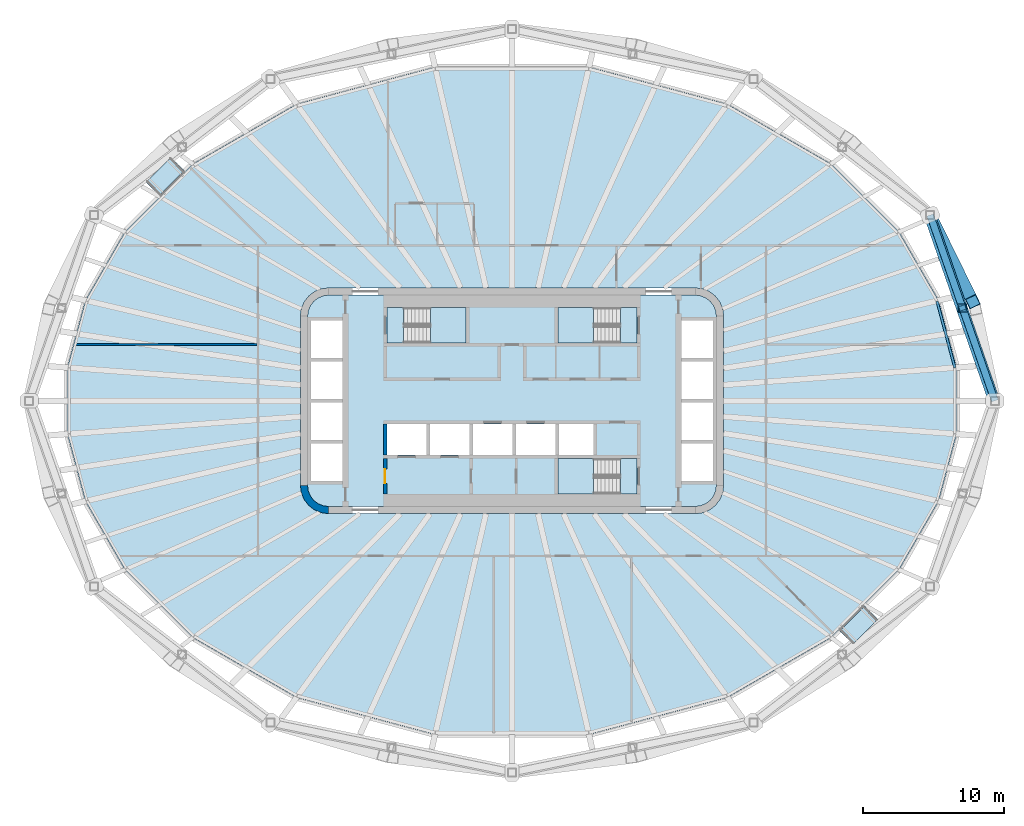
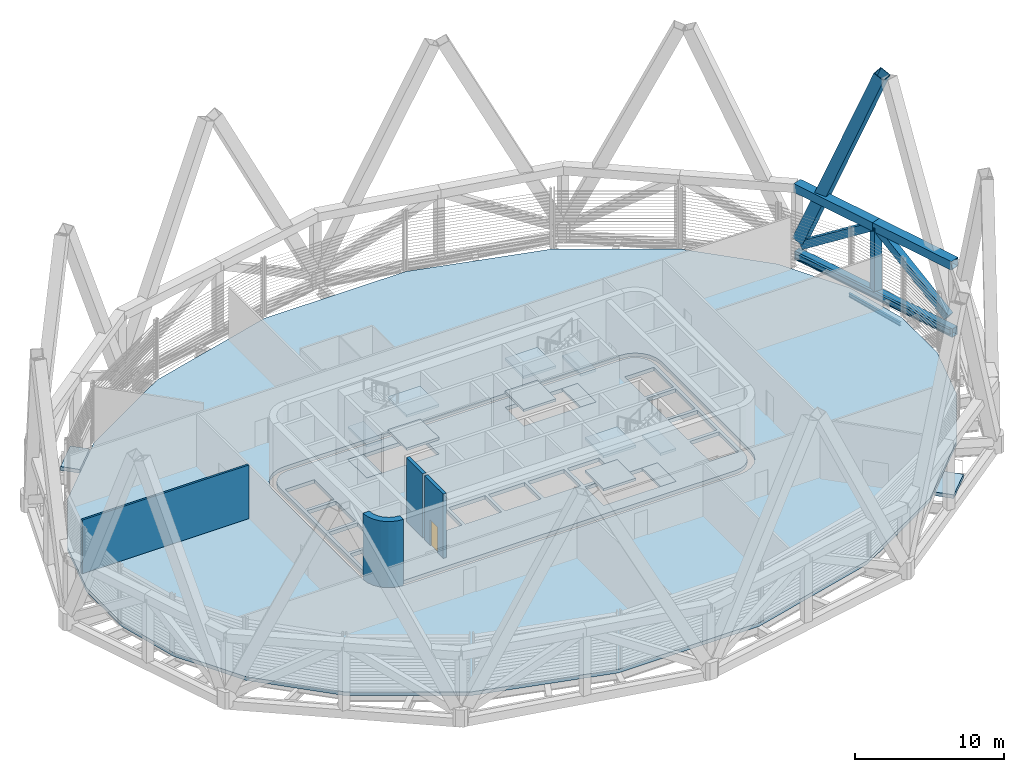
# One storey, part 5 of 18: 16 slabs, 6 members, 4 walls, 3 beams, 1 door, 1 opening, 3 elements without a shape of their own.
"""IFC4 building model written with IfcOpenShell, lengths in metres."""

from ifc_helpers import new_model, si_unit, direction, frame, frame_2d, origin, origin_2d, place, context, subcontext, project, spatial, polyline, rectangle, hollow_rectangle, i_section, outline, extrude, material, layer, layer_set, material_profile, profile_set, type_object, element, fill, aggregate, save


model = new_model("IFC4")

# Units and contexts
model_context = context("Model", 3, precision=1e-05, world=origin(), true_north=direction((0.0, 1.0)))
body_context = subcontext(model_context, "Body", "Model", "MODEL_VIEW")
ifc_project = project(units=[si_unit("LENGTHUNIT", "METRE"), si_unit("AREAUNIT", "SQUARE_METRE"), si_unit("VOLUMEUNIT", "CUBIC_METRE"), si_unit("PLANEANGLEUNIT", "RADIAN"), si_unit("MASSUNIT", "GRAM", prefix="KILO")], contexts=[model_context])

# Site, building, storey
site_placement = place(None, origin())
site = spatial("IfcSite", under=ifc_project, at=site_placement, CompositionType="ELEMENT")
building_placement = place(site_placement, origin())
building = spatial("IfcBuilding", under=site, at=building_placement, Name="Sahrelin Media Tower", CompositionType="ELEMENT")
storey_placement = place(building_placement, frame((0.0, 0.0, 148.199951171875)))
storey = spatial("IfcBuildingStorey", under=building, at=storey_placement, Name="L30", CompositionType="ELEMENT", Elevation=148.199951171875)

# Members
ifc_material_1 = material(Name="Steel S460", Category="steel")
ifc_material_profile_1 = material_profile(ifc_material_1, hollow_rectangle(XDim=0.699951171875, YDim=0.699951171875, WallThickness=0.044921875, at=origin_2d()), Name="Belt truss chord BC")
ifc_profile_set_1 = profile_set([ifc_material_profile_1], Name="Steel S460")
member_type_1 = type_object("IfcMemberType", Name="Belt truss chord BC", PredefinedType="CHORD", material=ifc_profile_set_1)
for number, where, z_axis, x_axis, name in (
    (1, (34.228759765625, 0.0, 4.900146484375), (-0.328781301843, 0.944406086151, 0.0), (-0.944406086151, -0.328781301843, 0.0), "Belt truss member BT06-00-T1"),
    (2, (31.935791015625, 6.58642578125, 4.900146484375), (-0.328781301843, 0.944406086151, 0.0), (-0.944406086151, -0.328781301843, 0.0), "Belt truss member BT06-00-T2"),
):
    element("IfcMember", number, at=place(storey_placement, frame(where, z_axis=z_axis, x_axis=x_axis)), inside=storey, type_object=member_type_1, Name=name, PredefinedType="CHORD", context=body_context, shape_type="SweptSolid", body=[
        extrude(hollow_rectangle(XDim=0.699951171875, YDim=0.699951171875, WallThickness=0.044921875, at=origin_2d()), origin(), (0.0, 0.0, 1.0), 6.97412109375),
    ])
ifc_material_profile_2 = material_profile(ifc_material_1, hollow_rectangle(XDim=0.5, YDim=0.60009765625, WallThickness=0.030029296875, at=origin_2d()), Name="Belt truss diagonal BD")
ifc_profile_set_2 = profile_set([ifc_material_profile_2], Name="Steel S460")
member_type_2 = type_object("IfcMemberType", Name="Belt truss diagonal BD", PredefinedType="BRACE", material=ifc_profile_set_2)
member_1_placement = place(storey_placement, frame((34.0546875, 0.5, 0.3720703125), z_axis=(-0.269018182349, 0.772741477817, 0.574891142763), x_axis=(-0.944406303282, -0.328780678146, 0.0)))
element("IfcMember", 3, at=member_1_placement, inside=storey, type_object=member_type_2, Name="Belt truss member BT06-00-X1", PredefinedType="BRACE", context=body_context, shape_type="SweptSolid", body=[
    extrude(hollow_rectangle(XDim=0.5, YDim=0.60009765625, WallThickness=0.030029296875, at=origin_2d()), origin(), (0.0, 0.0, 1.0), 7.87646484375),
])
member_2_placement = place(storey_placement, frame((29.807861328125, 12.69921875, 0.3525390625), z_axis=(0.269002707075, -0.772750089461, 0.574886808706), x_axis=(0.944413313299, 0.328760541525, 0.0)))
element("IfcMember", 4, at=member_2_placement, inside=storey, type_object=member_type_2, Name="Belt truss member BT06-00-X2", PredefinedType="BRACE", context=body_context, shape_type="SweptSolid", body=[
    extrude(hollow_rectangle(XDim=0.5, YDim=0.60009765625, WallThickness=0.030029296875, at=origin_2d()), origin(), (0.0, 0.0, 1.0), 7.910400390625),
])
ifc_material_profile_3 = material_profile(ifc_material_1, hollow_rectangle(XDim=0.60009765625, YDim=0.60009765625, WallThickness=0.034912109375, at=origin_2d()), Name="Belt truss post BP")
ifc_profile_set_3 = profile_set([ifc_material_profile_3], Name="Steel S460")
member_type_3 = type_object("IfcMemberType", Name="Belt truss post BP", PredefinedType="POST", material=ifc_profile_set_3)
member_3_placement = place(storey_placement, frame((31.935791015625, 6.58642578125, -0.320068359375), z_axis=(0.0, 0.0, 1.0), x_axis=(1.0, 0.0, 0.0)))
element("IfcMember", 5, at=member_3_placement, inside=storey, type_object=member_type_3, Name="Belt truss member BT06-00-P1", PredefinedType="POST", context=body_context, shape_type="SweptSolid", body=[
    extrude(hollow_rectangle(XDim=0.60009765625, YDim=0.60009765625, WallThickness=0.034912109375, at=origin_2d()), origin(), (0.0, 0.0, 1.0), 5.22021484375),
])
ifc_material_profile_4 = material_profile(ifc_material_1, hollow_rectangle(XDim=0.85009765625, YDim=0.85009765625, WallThickness=0.044921875, at=origin_2d()), Name="Diagrid diagonal DG4")
ifc_profile_set_4 = profile_set([ifc_material_profile_4], Name="Steel S460")
member_type_4 = type_object("IfcMemberType", Name="Diagrid diagonal DG4", PredefinedType="BRACE", material=ifc_profile_set_4)
member_4_placement = place(storey_placement, frame((29.769775390625, 12.9150390625, 0.699951171875), z_axis=(0.167569441572, -0.340756997688, 0.925097373674), x_axis=(0.897366617506, 0.44128579604, 0.0)))
element("IfcMember", 6, at=member_4_placement, inside=storey, type_object=member_type_4, Name="Diagrid diagonal D06-01", PredefinedType="BRACE", context=body_context, shape_type="SweptSolid", body=[
    extrude(hollow_rectangle(XDim=0.85009765625, YDim=0.85009765625, WallThickness=0.044921875, at=origin_2d()), origin(), (0.0, 0.0, 1.0), 17.29541015625),
])

# Beams
ifc_material_profile_5 = material_profile(ifc_material_1, hollow_rectangle(XDim=0.5, YDim=0.699951171875, WallThickness=0.034912109375, at=origin_2d()), Name="Diagrid ring beam RB2")
ifc_profile_set_5 = profile_set([ifc_material_profile_5], Name="Steel S460")
beam_type_1 = type_object("IfcBeamType", Name="Diagrid ring beam RB2", PredefinedType="BEAM", material=ifc_profile_set_5)
beam_1_placement = place(storey_placement, frame((34.228759765625, 0.0, -0.64990234375), z_axis=(-0.328781301843, 0.944406086151, 0.0), x_axis=(-0.944406086151, -0.328781301843, 0.0)))
element("IfcBeam", 7, at=beam_1_placement, inside=storey, type_object=beam_type_1, Name="Diagrid ring beam RB06-00", PredefinedType="BEAM", context=body_context, shape_type="SweptSolid", body=[
    extrude(hollow_rectangle(XDim=0.5, YDim=0.699951171875, WallThickness=0.034912109375, at=origin_2d()), origin(), (0.0, 0.0, 1.0), 13.9482421875),
])
ifc_material_2 = material(Name="Steel S355", Category="steel")
ifc_material_profile_6 = material_profile(ifc_material_2, i_section(OverallWidth=0.1650390625, OverallDepth=0.303466796875, WebThickness=0.006103515625, FlangeThickness=0.01025390625, FilletRadius=0.0087890625, at=origin_2d()), Name="UB 305x165x40")
ifc_profile_set_6 = profile_set([ifc_material_profile_6], Name="Steel S355")
beam_type_2 = type_object("IfcBeamType", Name="Edge beam EB2", PredefinedType="BEAM", material=ifc_profile_set_6)
beam_2_placement = place(storey_placement, frame((30.1337890625, 7.05078125, -0.45166015625), z_axis=(0.258846475781, -0.965918475844, 0.0), x_axis=(0.965918475844, 0.258846475781, 0.0)))
element("IfcBeam", 8, at=beam_2_placement, inside=storey, type_object=beam_type_2, Name="Edge beam L30-24", PredefinedType="BEAM", context=body_context, shape_type="SweptSolid", body=[
    extrude(i_section(OverallWidth=0.1650390625, OverallDepth=0.303466796875, WebThickness=0.006103515625, FlangeThickness=0.01025390625, FilletRadius=0.0087890625, at=origin_2d()), origin(), (0.0, 0.0, 1.0), 4.864013671875),
])
ifc_material_profile_7 = material_profile(ifc_material_2, i_section(OverallWidth=0.1904296875, OverallDepth=0.45703125, WebThickness=0.009033203125, FlangeThickness=0.014404296875, FilletRadius=0.01025390625, at=origin_2d()), Name="UB 457x191x74")
ifc_profile_set_7 = profile_set([ifc_material_profile_7], Name="Steel S355")
beam_type_3 = type_object("IfcBeamType", Name="Tie chord TC5", PredefinedType="BEAM", material=ifc_profile_set_7)
beam_3_placement = place(storey_placement, frame((29.346435546875, 12.958984375, -0.528564453125), z_axis=(0.328780773627, -0.944406270041, 0.0), x_axis=(0.944406270041, 0.328780773627, 0.0)))
element("IfcBeam", 9, at=beam_3_placement, inside=storey, type_object=beam_type_3, Name="Tie chord L30-12", PredefinedType="BEAM", context=body_context, shape_type="SweptSolid", body=[
    extrude(i_section(OverallWidth=0.1904296875, OverallDepth=0.45703125, WebThickness=0.009033203125, FlangeThickness=0.014404296875, FilletRadius=0.01025390625, at=origin_2d()), origin(), (0.0, 0.0, 1.0), 13.721923828125),
])

# Slabs
ifc_material_3 = material(Name="Concrete C40/50", Category="concrete")
ifc_layer_1 = layer(ifc_material_3, 0.300048828125)
ifc_layer_set_1 = layer_set([ifc_layer_1], Name="Composite floor slab 300")
slab_type_1 = type_object("IfcSlabType", Name="Composite floor slab 300", PredefinedType="FLOOR", material=ifc_layer_set_1)
placement_1 = place(storey_placement, frame((0.0, 0.0, -0.300048828125)))
element("IfcSlab", 10, at=placement_1, inside=storey, type_object=slab_type_1, Name="Floor slab L30", PredefinedType="FLOOR", context=body_context, shape_type="SweptSolid", body=[
    extrude(outline(polyline([(31.526611328125, -2.355712890625), (31.526611328125, 2.355712890625), (30.251220703125, 7.114990234375), (27.447998046875, 11.970458984375), (22.6318359375, 16.78662109375), (15.28125, 21.030517578125), (5.45849609375, 23.66259765625), (-5.45849609375, 23.66259765625), (-15.28125, 21.030517578125), (-22.6318359375, 16.78662109375), (-27.447998046875, 11.970458984375), (-30.251220703125, 7.114990234375), (-31.526611328125, 2.355712890625), (-31.526611328125, -2.355712890625), (-30.251220703125, -7.114990234375), (-27.447998046875, -11.970458984375), (-22.6318359375, -16.78662109375), (-15.28125, -21.030517578125), (-5.45849609375, -23.66259765625), (5.45849609375, -23.66259765625), (15.28125, -21.030517578125), (22.6318359375, -16.78662109375), (27.447998046875, -11.970458984375), (30.251220703125, -7.114990234375), (31.526611328125, -2.355712890625)]), holes=[polyline([(14.931884765625, 6.517578125), (15.0, 6.0), (15.0, -6.0), (14.931884765625, -6.517578125), (14.732177734375, -7.0), (14.414306640625, -7.414306640625), (14.0, -7.732177734375), (13.517578125, -7.931884765625), (13.0, -8.0), (-13.0, -8.0), (-13.517578125, -7.931884765625), (-14.0, -7.732177734375), (-14.414306640625, -7.414306640625), (-14.732177734375, -7.0), (-14.931884765625, -6.517578125), (-15.0, -6.0), (-15.0, 6.0), (-14.931884765625, 6.517578125), (-14.732177734375, 7.0), (-14.414306640625, 7.414306640625), (-14.0, 7.732177734375), (-13.517578125, 7.931884765625), (-13.0, 8.0), (13.0, 8.0), (13.517578125, 7.931884765625), (14.0, 7.732177734375), (14.414306640625, 7.414306640625), (14.732177734375, 7.0), (14.931884765625, 6.517578125)])]), origin(), (0.0, 0.0, 1.0), 0.300048828125),
])
ifc_layer_2 = layer(ifc_material_3, 0.300048828125)
ifc_layer_set_2 = layer_set([ifc_layer_2], Name="Core floor slab 300")
slab_type_2 = type_object("IfcSlabType", Name="Core floor slab 300", PredefinedType="FLOOR", material=ifc_layer_set_2)
element("IfcSlab", 11, at=placement_1, inside=storey, type_object=slab_type_2, Name="Core floor", PredefinedType="FLOOR", context=body_context, shape_type="SweptSolid", body=[
    extrude(outline(polyline([(-14.44482421875, 6.38720703125), (-14.5, 5.96728515625), (-14.5, -5.96728515625), (-14.44482421875, -6.38720703125), (-14.29541015625, -6.747802734375), (-14.0576171875, -7.0576171875), (-13.747802734375, -7.29541015625), (-13.38720703125, -7.44482421875), (-12.96728515625, -7.5), (12.96728515625, -7.5), (13.38720703125, -7.44482421875), (13.747802734375, -7.29541015625), (14.0576171875, -7.0576171875), (14.29541015625, -6.747802734375), (14.44482421875, -6.38720703125), (14.5, -5.96728515625), (14.5, 5.96728515625), (14.44482421875, 6.38720703125), (14.29541015625, 6.747802734375), (14.0576171875, 7.0576171875), (13.747802734375, 7.29541015625), (13.38720703125, 7.44482421875), (12.96728515625, 7.5), (-12.96728515625, 7.5), (-13.38720703125, 7.44482421875), (-13.747802734375, 7.29541015625), (-14.0576171875, 7.0576171875), (-14.29541015625, 6.747802734375), (-14.44482421875, 6.38720703125)]), holes=[polyline([(-12.0, 3.02490234375), (-12.0, 5.675048828125), (-14.25, 5.675048828125), (-14.25, 3.02490234375), (-12.0, 3.02490234375)]), polyline([(-14.25, 0.125), (-12.0, 0.125), (-12.0, 2.77490234375), (-14.25, 2.77490234375), (-14.25, 0.125)]), polyline([(-14.25, -0.125), (-14.25, -2.77490234375), (-12.0, -2.77490234375), (-12.0, -0.125), (-14.25, -0.125)]), polyline([(-12.0, -3.02490234375), (-14.25, -3.02490234375), (-14.25, -5.675048828125), (-12.0, -5.675048828125), (-12.0, -3.02490234375)]), polyline([(14.25, 3.02490234375), (14.25, 5.675048828125), (12.0, 5.675048828125), (12.0, 3.02490234375), (14.25, 3.02490234375)]), polyline([(12.0, 0.125), (14.25, 0.125), (14.25, 2.77490234375), (12.0, 2.77490234375), (12.0, 0.125)]), polyline([(12.0, -0.125), (12.0, -2.77490234375), (14.25, -2.77490234375), (14.25, -0.125), (12.0, -0.125)]), polyline([(14.25, -3.02490234375), (12.0, -3.02490234375), (12.0, -5.675048828125), (14.25, -5.675048828125), (14.25, -3.02490234375)]), polyline([(-6.074951171875, -3.85009765625), (-6.074951171875, -1.64990234375), (-8.875, -1.64990234375), (-8.875, -3.85009765625), (-6.074951171875, -3.85009765625)]), polyline([(-5.824951171875, -3.85009765625), (-3.02490234375, -3.85009765625), (-3.02490234375, -1.64990234375), (-5.824951171875, -1.64990234375), (-5.824951171875, -3.85009765625)]), polyline([(-2.77490234375, -1.64990234375), (-2.77490234375, -3.85009765625), (0.02490234375, -3.85009765625), (0.02490234375, -1.64990234375), (-2.77490234375, -1.64990234375)]), polyline([(3.074951171875, -1.64990234375), (0.27490234375, -1.64990234375), (0.27490234375, -3.85009765625), (3.074951171875, -3.85009765625), (3.074951171875, -1.64990234375)]), polyline([(5.77490234375, -3.85009765625), (5.77490234375, -1.64990234375), (3.324951171875, -1.64990234375), (3.324951171875, -3.85009765625), (5.77490234375, -3.85009765625)]), polyline([(-8.875, 6.60009765625), (-8.875, 4.10009765625), (-3.27490234375, 4.10009765625), (-3.27490234375, 6.60009765625), (-8.875, 6.60009765625)]), polyline([(3.27490234375, 4.10009765625), (8.875, 4.10009765625), (8.875, 6.60009765625), (3.27490234375, 6.60009765625), (3.27490234375, 4.10009765625)]), polyline([(3.27490234375, -4.10009765625), (3.27490234375, -6.60009765625), (8.875, -6.60009765625), (8.875, -4.10009765625), (3.27490234375, -4.10009765625)])]), origin(), (0.0, 0.0, 1.0), 0.300048828125),
])
ifc_layer_3 = layer(ifc_material_2, 0.14990234375)
ifc_layer_set_3 = layer_set([ifc_layer_3], Name="Maintenance platform")
slab_type_3 = type_object("IfcSlabType", Name="Maintenance platform", PredefinedType="FLOOR", material=ifc_layer_set_3)
element("IfcSlab", 12, at=placement_1, inside=storey, type_object=slab_type_3, Name="Maintenance platform L30-09", PredefinedType="FLOOR", context=body_context, shape_type="SweptSolid", body=[
    extrude(outline(polyline([(-23.2333984375, 16.319580078125), (-25.001220703125, 14.5517578125), (-25.948974609375, 15.499755859375), (-24.18115234375, 17.267333984375), (-23.2333984375, 16.319580078125)])), origin(), (0.0, 0.0, 1.0), 0.300048828125),
])
element("IfcSlab", 13, at=placement_1, inside=storey, type_object=slab_type_3, Name="Maintenance platform L30-21", PredefinedType="FLOOR", context=body_context, shape_type="SweptSolid", body=[
    extrude(outline(polyline([(23.2333984375, -16.319580078125), (25.001220703125, -14.5517578125), (25.948974609375, -15.499755859375), (24.18115234375, -17.267333984375), (23.2333984375, -16.319580078125)])), origin(), (0.0, 0.0, 1.0), 0.300048828125),
])

# Stair, slabs
stair_type = type_object("IfcStairType", Name="Exit stair 1200", PredefinedType="HALF_TURN_STAIR", material=ifc_material_3)
placement_2 = place(storey_placement, origin())
stair_1 = element("IfcStair", 14, at=placement_2, inside=storey, type_object=stair_type, Name="L30 Exit stair ST1", PredefinedType="HALF_TURN_STAIR")
ifc_layer_4 = layer(ifc_material_3, 0.199951171875)
ifc_layer_set_4 = layer_set([ifc_layer_4], Name="Stair landing 200")
slab_type_4 = type_object("IfcSlabType", Name="Stair landing 200", PredefinedType="LANDING", material=ifc_layer_set_4)
placement_3 = place(storey_placement, frame((0.0, 0.0, 1.150146484375)))
slab_5 = element("IfcSlab", 15, at=placement_3, type_object=slab_type_4, Name="ST1 landing 1", PredefinedType="LANDING", context=body_context, shape_type="SweptSolid", body=[
    extrude(outline(polyline([(-5.77490234375, 4.10009765625), (-3.27490234375, 4.10009765625), (-3.27490234375, 6.60009765625), (-5.77490234375, 6.60009765625), (-5.77490234375, 4.10009765625)])), origin(), (0.0, 0.0, 1.0), 0.199951171875),
])
placement_4 = place(storey_placement, frame((0.0, 0.0, 2.5)))
slab_6 = element("IfcSlab", 16, at=placement_4, type_object=slab_type_4, Name="ST1 landing 2", PredefinedType="LANDING", context=body_context, shape_type="SweptSolid", body=[
    extrude(outline(polyline([(-8.875, 4.10009765625), (-7.675048828125, 4.10009765625), (-7.675048828125, 6.60009765625), (-8.875, 6.60009765625), (-8.875, 4.10009765625)])), origin(), (0.0, 0.0, 1.0), 0.199951171875),
])
placement_5 = place(storey_placement, frame((0.0, 0.0, 3.85009765625)))
slab_7 = element("IfcSlab", 17, at=placement_5, type_object=slab_type_4, Name="ST1 landing 3", PredefinedType="LANDING", context=body_context, shape_type="SweptSolid", body=[
    extrude(outline(polyline([(-5.77490234375, 4.10009765625), (-3.27490234375, 4.10009765625), (-3.27490234375, 6.60009765625), (-5.77490234375, 6.60009765625), (-5.77490234375, 4.10009765625)])), origin(), (0.0, 0.0, 1.0), 0.199951171875),
])
placement_6 = place(storey_placement, frame((0.0, 0.0, -0.199951171875)))
slab_8 = element("IfcSlab", 18, at=placement_6, type_object=slab_type_4, Name="ST1 landing 4", PredefinedType="LANDING", context=body_context, shape_type="SweptSolid", body=[
    extrude(outline(polyline([(-8.875, 4.10009765625), (-7.675048828125, 4.10009765625), (-7.675048828125, 6.60009765625), (-8.875, 6.60009765625), (-8.875, 4.10009765625)])), origin(), (0.0, 0.0, 1.0), 0.199951171875),
])
aggregate(stair_1, [slab_5, slab_6, slab_7, slab_8])

stair_2 = element("IfcStair", 19, at=placement_2, inside=storey, type_object=stair_type, Name="L30 Exit stair ST3", PredefinedType="HALF_TURN_STAIR")
slab_9 = element("IfcSlab", 20, at=placement_3, type_object=slab_type_4, Name="ST3 landing 1", PredefinedType="LANDING", context=body_context, shape_type="SweptSolid", body=[
    extrude(outline(polyline([(5.77490234375, 6.60009765625), (3.27490234375, 6.60009765625), (3.27490234375, 4.10009765625), (5.77490234375, 4.10009765625), (5.77490234375, 6.60009765625)])), origin(), (0.0, 0.0, 1.0), 0.199951171875),
])
slab_10 = element("IfcSlab", 21, at=placement_4, type_object=slab_type_4, Name="ST3 landing 2", PredefinedType="LANDING", context=body_context, shape_type="SweptSolid", body=[
    extrude(outline(polyline([(8.875, 6.60009765625), (7.675048828125, 6.60009765625), (7.675048828125, 4.10009765625), (8.875, 4.10009765625), (8.875, 6.60009765625)])), origin(), (0.0, 0.0, 1.0), 0.199951171875),
])
slab_11 = element("IfcSlab", 22, at=placement_5, type_object=slab_type_4, Name="ST3 landing 3", PredefinedType="LANDING", context=body_context, shape_type="SweptSolid", body=[
    extrude(outline(polyline([(5.77490234375, 6.60009765625), (3.27490234375, 6.60009765625), (3.27490234375, 4.10009765625), (5.77490234375, 4.10009765625), (5.77490234375, 6.60009765625)])), origin(), (0.0, 0.0, 1.0), 0.199951171875),
])
slab_12 = element("IfcSlab", 23, at=placement_6, type_object=slab_type_4, Name="ST3 landing 4", PredefinedType="LANDING", context=body_context, shape_type="SweptSolid", body=[
    extrude(outline(polyline([(8.875, 6.60009765625), (7.675048828125, 6.60009765625), (7.675048828125, 4.10009765625), (8.875, 4.10009765625), (8.875, 6.60009765625)])), origin(), (0.0, 0.0, 1.0), 0.199951171875),
])
aggregate(stair_2, [slab_9, slab_10, slab_11, slab_12])

stair_3 = element("IfcStair", 24, at=placement_2, inside=storey, type_object=stair_type, Name="L30 Exit stair ST2", PredefinedType="HALF_TURN_STAIR")
slab_13 = element("IfcSlab", 25, at=placement_3, type_object=slab_type_4, Name="ST2 landing 1", PredefinedType="LANDING", context=body_context, shape_type="SweptSolid", body=[
    extrude(outline(polyline([(5.77490234375, -4.10009765625), (3.27490234375, -4.10009765625), (3.27490234375, -6.60009765625), (5.77490234375, -6.60009765625), (5.77490234375, -4.10009765625)])), origin(), (0.0, 0.0, 1.0), 0.199951171875),
])
slab_14 = element("IfcSlab", 26, at=placement_4, type_object=slab_type_4, Name="ST2 landing 2", PredefinedType="LANDING", context=body_context, shape_type="SweptSolid", body=[
    extrude(outline(polyline([(8.875, -4.10009765625), (7.675048828125, -4.10009765625), (7.675048828125, -6.60009765625), (8.875, -6.60009765625), (8.875, -4.10009765625)])), origin(), (0.0, 0.0, 1.0), 0.199951171875),
])
slab_15 = element("IfcSlab", 27, at=placement_5, type_object=slab_type_4, Name="ST2 landing 3", PredefinedType="LANDING", context=body_context, shape_type="SweptSolid", body=[
    extrude(outline(polyline([(5.77490234375, -4.10009765625), (3.27490234375, -4.10009765625), (3.27490234375, -6.60009765625), (5.77490234375, -6.60009765625), (5.77490234375, -4.10009765625)])), origin(), (0.0, 0.0, 1.0), 0.199951171875),
])
slab_16 = element("IfcSlab", 28, at=placement_6, type_object=slab_type_4, Name="ST2 landing 4", PredefinedType="LANDING", context=body_context, shape_type="SweptSolid", body=[
    extrude(outline(polyline([(8.875, -4.10009765625), (7.675048828125, -4.10009765625), (7.675048828125, -6.60009765625), (8.875, -6.60009765625), (8.875, -4.10009765625)])), origin(), (0.0, 0.0, 1.0), 0.199951171875),
])
aggregate(stair_3, [slab_13, slab_14, slab_15, slab_16])

# Walls
ifc_material_4 = material(Name="Concrete C60/75", Category="concrete")
ifc_layer_5 = layer(ifc_material_4, 0.5)
ifc_layer_set_5 = layer_set([ifc_layer_5], Name="Core wall 500")
wall_type_1 = type_object("IfcWallType", Name="Core wall 500", PredefinedType="SHEAR", material=ifc_layer_set_5)
element("IfcWall", 29, at=placement_2, inside=storey, type_object=wall_type_1, Name="Core wall corner SW L30", PredefinedType="SHEAR", context=body_context, shape_type="SweptSolid", body=[
    extrude(outline(polyline([(-13.0, -8.0), (-13.0, -7.49560546875), (-13.38720703125, -7.44482421875), (-13.747802734375, -7.29541015625), (-14.0576171875, -7.0576171875), (-14.29541015625, -6.747802734375), (-14.44482421875, -6.38720703125), (-14.49560546875, -6.0), (-15.0, -6.0), (-14.931884765625, -6.517578125), (-14.732177734375, -7.0), (-14.414306640625, -7.414306640625), (-14.0, -7.732177734375), (-13.517578125, -7.931884765625), (-13.0, -8.0)])), origin(), (0.0, 0.0, 1.0), 5.400146484375),
])
ifc_material_5 = material(Name="Fire-rated gypsum board partition")
ifc_layer_6 = layer(ifc_material_5, 0.14990234375)
ifc_layer_set_6 = layer_set([ifc_layer_6], Name="Fire-rated partition 150")
wall_type_2 = type_object("IfcWallType", Name="Fire-rated partition 150", PredefinedType="PARTITIONING", material=ifc_layer_set_6)
wall_2_placement = place(storey_placement, frame((-18.074951171875, 4.0, 0.0), z_axis=(0.0, 0.0, 1.0), x_axis=(-1.0, 0.0, 0.0)))
element("IfcWall", 30, at=wall_2_placement, inside=storey, type_object=wall_type_2, Name="Wall", PredefinedType="PARTITIONING", context=body_context, shape_type="SweptSolid", body=[
    extrude(rectangle(XDim=12.87646484375, YDim=0.14990234375, at=frame_2d((6.438232421875, 0.0))), origin(), (0.0, 0.0, 1.0), 4.39501953125),
])

# Wall, opening, door
ifc_layer_7 = layer(ifc_material_5, 0.25)
ifc_layer_set_7 = layer_set([ifc_layer_7], Name="Firefighting lobby wall 250")
wall_type_3 = type_object("IfcWallType", Name="Firefighting lobby wall 250", PredefinedType="PARTITIONING", material=ifc_layer_set_7)
wall_3_placement = place(storey_placement, frame((-9.0, -6.60009765625, 0.0), z_axis=(0.0, 0.0, 1.0), x_axis=(0.0, 1.0, 0.0)))
wall_3 = element("IfcWall", 31, at=wall_3_placement, inside=storey, type_object=wall_type_3, Name="Core wall", PredefinedType="PARTITIONING", context=body_context, shape_type="SweptSolid", body=[
    extrude(rectangle(XDim=2.5, YDim=0.25, at=frame_2d((1.25, 0.0))), origin(), (0.0, 0.0, 1.0), 5.25),
])
opening_placement = place(wall_3_placement, frame((0.75, 0.0, 0.0)))
opening = element("IfcOpeningElement", 32, at=opening_placement, cuts=wall_3, Name="Opening L30-D04", PredefinedType="OPENING", context=body_context, shape_type="SweptSolid", body=[
    extrude(rectangle(XDim=1.0, YDim=2.10009765625, at=frame_2d((0.5, 1.050048828125))), frame((0.0, 0.125, 0.0), z_axis=(0.0, -1.0, 0.0), x_axis=(1.0, 0.0, 0.0)), (0.0, 0.0, 1.0), 0.25),
])
ifc_material_6 = material(Name="Steel fire door leaf", Category="steel")
door_type = type_object("IfcDoorType", Name="Firefighting lobby door 1000 x 2100 EI 120", OperationType="NOTDEFINED", PredefinedType="DOOR", material=ifc_material_6)
door_placement = place(opening_placement, origin())
door = element("IfcDoor", 33, at=door_placement, inside=storey, type_object=door_type, Name="Firefighting lobby door", OperationType="SINGLE_SWING_LEFT", OverallHeight=2.10009765625, OverallWidth=1.0, PredefinedType="DOOR", context=body_context, shape_type="SweptSolid", body=[
    extrude(rectangle(XDim=1.0, YDim=2.10009765625, at=frame_2d((0.5, 1.050048828125))), frame((0.0, 0.02490234375, 0.0), z_axis=(0.0, -1.0, 0.0), x_axis=(1.0, 0.0, 0.0)), (0.0, 0.0, 1.0), 0.050048828125),
])
fill(opening, door)

# Wall
ifc_layer_8 = layer(ifc_material_4, 0.25)
ifc_layer_set_8 = layer_set([ifc_layer_8], Name="Lift shaft wall 250")
wall_type_4 = type_object("IfcWallType", Name="Lift shaft wall 250", PredefinedType="SOLIDWALL", material=ifc_layer_set_8)
wall_4_placement = place(storey_placement, frame((-9.0, -3.85009765625, 0.0), z_axis=(0.0, 0.0, 1.0), x_axis=(0.0, 1.0, 0.0)))
element("IfcWall", 34, at=wall_4_placement, inside=storey, type_object=wall_type_4, Name="Lift shaft wall", PredefinedType="SOLIDWALL", context=body_context, shape_type="SweptSolid", body=[
    extrude(rectangle(XDim=2.2001953125, YDim=0.25, at=frame_2d((1.10009765625, 0.0))), origin(), (0.0, 0.0, 1.0), 5.25),
])

save(model, "model.ifc")
